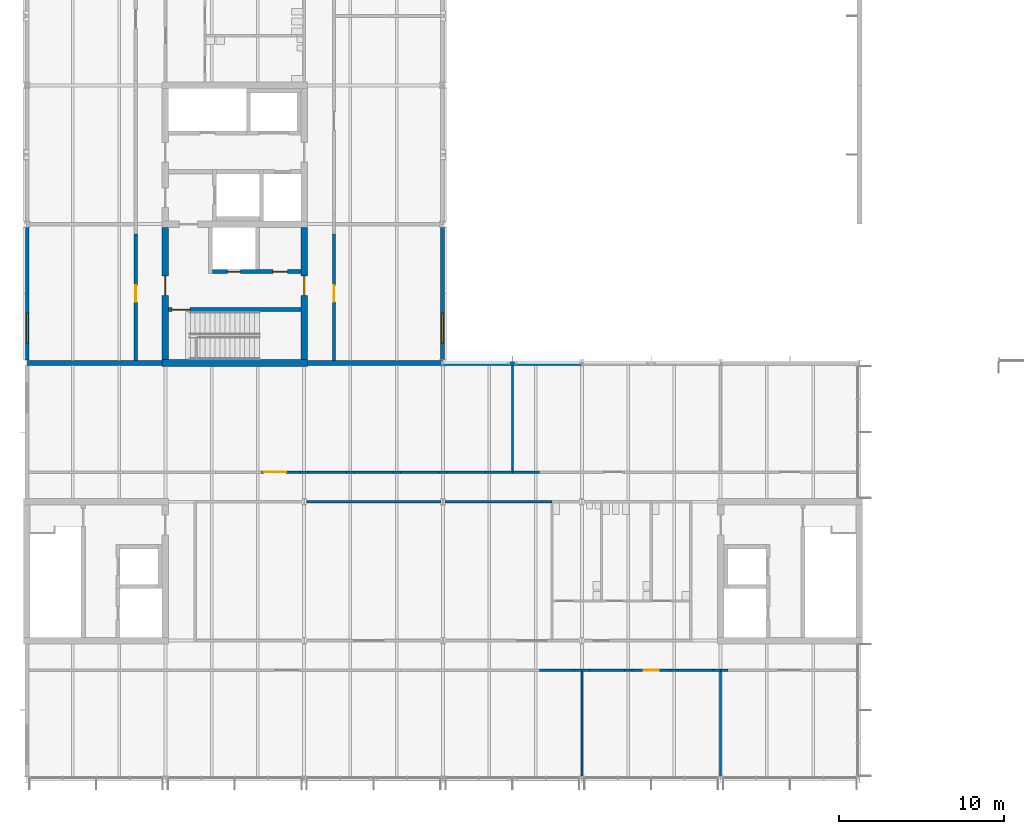
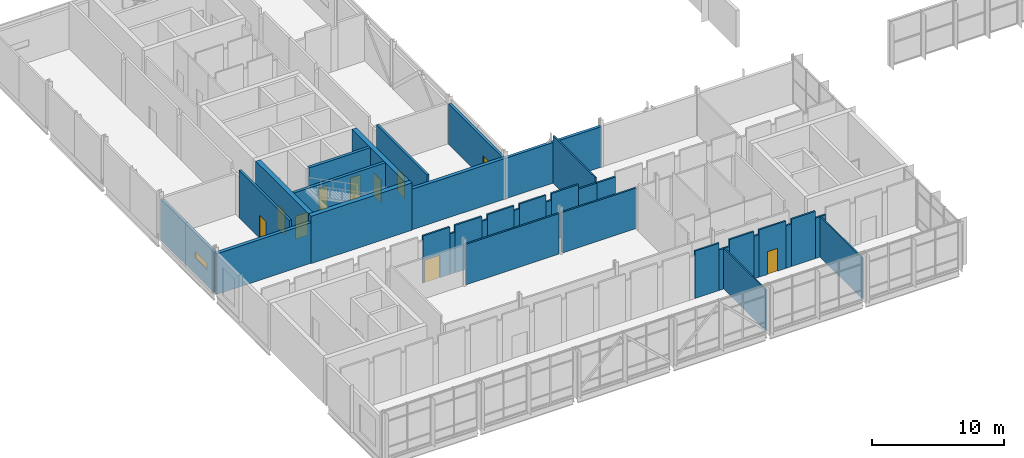
# One storey, part 39 of 72: 38 walls, 9 doors, 2 windows, 11 openings.
"""IFC4 building model written with IfcOpenShell, lengths in metres."""

from ifc_helpers import new_model, si_unit, direction, frame, frame_2d, origin, place, context, subcontext, project, spatial, rectangle, extrude, material, layer, layer_set, type_object, element, fill, save


model = new_model("IFC4")

# Units and contexts
model_context = context("Model", 3, precision=1e-05, world=origin(), true_north=direction((0.0, 1.0)))
body_context = subcontext(model_context, "Body", "Model", "MODEL_VIEW")
ifc_project = project(units=[si_unit("LENGTHUNIT", "METRE"), si_unit("AREAUNIT", "SQUARE_METRE"), si_unit("VOLUMEUNIT", "CUBIC_METRE"), si_unit("PLANEANGLEUNIT", "RADIAN"), si_unit("MASSUNIT", "GRAM", prefix="KILO")], contexts=[model_context])

# Site, building, storey
site_placement = place(None, origin())
site = spatial("IfcSite", under=ifc_project, at=site_placement, CompositionType="ELEMENT")
building_placement = place(site_placement, origin())
building = spatial("IfcBuilding", under=site, at=building_placement, Name="Hlaing Beacon Police Headquarters", CompositionType="ELEMENT")
storey_placement = place(building_placement, frame((0.0, 0.0, 14.39990234375)))
storey = spatial("IfcBuildingStorey", under=building, at=storey_placement, Name="L03", CompositionType="ELEMENT", Elevation=14.39990234375)

# Walls
ifc_material_1 = material(Name="Concrete C40/50", Category="concrete")
ifc_layer_1 = layer(ifc_material_1, 0.300048828125)
ifc_layer_set_1 = layer_set([ifc_layer_1], Name="Concrete C40/50")
wall_type_1 = type_object("IfcWallType", Name="Compartment wall 300", PredefinedType="SOLIDWALL", material=ifc_layer_set_1)
wall_1_placement = place(storey_placement, frame((33.5966796875, 33.60009765625, 0.0), z_axis=(0.0, 0.0, 1.0), x_axis=(-1.0, 0.0, 0.0)))
element("IfcWall", 1, at=wall_1_placement, inside=storey, type_object=wall_type_1, Name="Compartment wall L03 N026", PredefinedType="SOLIDWALL", context=body_context, shape_type="SweptSolid", body=[
    extrude(rectangle(XDim=8.19677734375, YDim=0.300048828125, at=frame_2d((4.098388671875, 0.0))), origin(), (0.0, 0.0, 1.0), 3.74609375),
])
wall_2_placement = place(storey_placement, frame((16.60009765625, 33.60009765625, 0.0), z_axis=(0.0, 0.0, 1.0), x_axis=(-1.0, 0.0, 0.0)))
element("IfcWall", 2, at=wall_2_placement, inside=storey, type_object=wall_type_1, Name="Compartment wall L03 N027", PredefinedType="SOLIDWALL", context=body_context, shape_type="SweptSolid", body=[
    extrude(rectangle(XDim=8.1953125, YDim=0.300048828125, at=frame_2d((4.09765625, 0.0))), origin(), (0.0, 0.0, 1.0), 3.74609375),
])
ifc_material_2 = material(Name="Concrete C60/75", Category="concrete")
ifc_layer_2 = layer(ifc_material_2, 0.39990234375)
ifc_layer_set_2 = layer_set([ifc_layer_2], Name="Concrete C60/75")
wall_type_2 = type_object("IfcWallType", Name="Core shear wall 400", PredefinedType="SHEAR", material=ifc_layer_set_2)
wall_3_placement = place(storey_placement, frame((16.60009765625, 33.60009765625, 0.0), z_axis=(0.0, 0.0, 1.0), x_axis=(1.0, 0.0, 0.0)))
element("IfcWall", 3, at=wall_3_placement, inside=storey, type_object=wall_type_2, Name="Core shear wall", PredefinedType="SHEAR", context=body_context, shape_type="SweptSolid", body=[
    extrude(rectangle(XDim=8.7998046875, YDim=0.39990234375, at=frame_2d((4.39990234375, 0.0))), origin(), (0.0, 0.0, 1.0), 4.3701171875),
])

# Wall, opening, door
wall_4_placement = place(storey_placement, frame((16.800048828125, 33.800048828125, 0.0), z_axis=(0.0, 0.0, 1.0), x_axis=(0.0, 1.0, 0.0)))
wall_4 = element("IfcWall", 4, at=wall_4_placement, inside=storey, type_object=wall_type_2, Name="Core shear wall", PredefinedType="SHEAR", context=body_context, shape_type="SweptSolid", body=[
    extrude(rectangle(XDim=8.0, YDim=0.39990234375, at=frame_2d((4.0, 0.0))), origin(), (0.0, 0.0, 1.0), 4.3701171875),
])
opening_1_placement = place(wall_4_placement, frame((3.875, 0.0, 0.0)))
opening_1 = element("IfcOpeningElement", 5, at=opening_1_placement, cuts=wall_4, Name="Opening L03-934", PredefinedType="OPENING", context=body_context, shape_type="SweptSolid", body=[
    extrude(rectangle(XDim=1.199951171875, YDim=2.10009765625, at=frame_2d((0.60009765625, 1.050048828125))), frame((0.0, 0.2099609375, 0.0), z_axis=(0.0, -1.0, 0.0), x_axis=(1.0, 0.0, 0.0)), (0.0, 0.0, 1.0), 0.419921875),
])
ifc_material_3 = material(Name="Steel fire door leaf", Category="steel")
ifc_layer_3 = layer(ifc_material_3, 0.070068359375)
ifc_layer_set_3 = layer_set([ifc_layer_3], Name="Steel fire door leaf")
door_type_1 = type_object("IfcDoorType", Name="Steel fire door FD60S 1200x2100", OperationType="SINGLE_SWING_LEFT", PredefinedType="DOOR", material=ifc_layer_set_3)
door_1_placement = place(opening_1_placement, frame((1.199951171875, 0.0, 0.0), z_axis=(0.0, 0.0, 1.0), x_axis=(-1.0, 0.0, 0.0)))
door_1 = element("IfcDoor", 6, at=door_1_placement, inside=storey, type_object=door_type_1, Name="Door Stair Lobby ST-N Entry", OperationType="SINGLE_SWING_RIGHT", OverallHeight=2.10009765625, OverallWidth=1.199951171875, PredefinedType="DOOR", context=body_context, shape_type="SweptSolid", body=[
    extrude(rectangle(XDim=1.199951171875, YDim=2.10009765625, at=frame_2d((0.599853515625, 1.050048828125))), frame((0.0, 0.034912109375, 0.0), z_axis=(0.0, -1.0, 0.0), x_axis=(1.0, 0.0, 0.0)), (0.0, 0.0, 1.0), 0.070068359375),
])
fill(opening_1, door_1)

wall_5_placement = place(storey_placement, frame((25.199951171875, 33.800048828125, 0.0), z_axis=(0.0, 0.0, 1.0), x_axis=(0.0, 1.0, 0.0)))
wall_5 = element("IfcWall", 7, at=wall_5_placement, inside=storey, type_object=wall_type_2, Name="Core shear wall", PredefinedType="SHEAR", context=body_context, shape_type="SweptSolid", body=[
    extrude(rectangle(XDim=8.0, YDim=0.39990234375, at=frame_2d((4.0, 0.0))), origin(), (0.0, 0.0, 1.0), 4.3701171875),
])
opening_2_placement = place(wall_5_placement, frame((3.875, 0.0, 0.0)))
opening_2 = element("IfcOpeningElement", 8, at=opening_2_placement, cuts=wall_5, Name="Opening L03-935", PredefinedType="OPENING", context=body_context, shape_type="SweptSolid", body=[
    extrude(rectangle(XDim=1.199951171875, YDim=2.10009765625, at=frame_2d((0.60009765625, 1.050048828125))), frame((0.0, 0.2099609375, 0.0), z_axis=(0.0, -1.0, 0.0), x_axis=(1.0, 0.0, 0.0)), (0.0, 0.0, 1.0), 0.419921875),
])
door_2_placement = place(opening_2_placement, origin())
door_2 = element("IfcDoor", 9, at=door_2_placement, inside=storey, type_object=door_type_1, Name="Door Stair Lobby ST-N Entry", OperationType="SINGLE_SWING_LEFT", OverallHeight=2.10009765625, OverallWidth=1.199951171875, PredefinedType="DOOR", context=body_context, shape_type="SweptSolid", body=[
    extrude(rectangle(XDim=1.199951171875, YDim=2.10009765625, at=frame_2d((0.60009765625, 1.050048828125))), frame((0.0, 0.03515625, 0.0), z_axis=(0.0, -1.0, 0.0), x_axis=(1.0, 0.0, 0.0)), (0.0, 0.0, 1.0), 0.070068359375),
])
fill(opening_2, door_2)

# Walls
ifc_material_4 = material(Name="Gypsum board partition")
ifc_layer_4 = layer(ifc_material_4, 0.14990234375)
ifc_layer_set_4 = layer_set([ifc_layer_4], Name="Gypsum board partition")
wall_type_3 = type_object("IfcWallType", Name="Corridor wall EI 30 150", PredefinedType="PARTITIONING", material=ifc_layer_set_4)
wall_6_placement = place(storey_placement, frame((25.327880859375, 25.199951171875, 0.0), z_axis=(0.0, 0.0, 1.0), x_axis=(1.0, 0.0, 0.0)))
element("IfcWall", 10, at=wall_6_placement, inside=storey, type_object=wall_type_3, Name="Corridor wall EI 30 150", PredefinedType="PARTITIONING", context=body_context, shape_type="SweptSolid", body=[
    extrude(rectangle(XDim=8.14306640625, YDim=0.14990234375, at=frame_2d((4.071533203125, 0.0))), origin(), (0.0, 0.0, 1.0), 3.7431640625),
])
wall_7_placement = place(storey_placement, frame((33.72900390625, 25.199951171875, 0.0), z_axis=(0.0, 0.0, 1.0), x_axis=(1.0, 0.0, 0.0)))
element("IfcWall", 11, at=wall_7_placement, inside=storey, type_object=wall_type_3, Name="Corridor wall EI 30 150", PredefinedType="PARTITIONING", context=body_context, shape_type="SweptSolid", body=[
    extrude(rectangle(XDim=6.470947265625, YDim=0.14990234375, at=frame_2d((3.2353515625, 0.0))), origin(), (0.0, 0.0, 1.0), 3.7431640625),
])

# Wall, opening, door
wall_8_placement = place(storey_placement, frame((22.6298828125, 27.0, 0.0), z_axis=(0.0, 0.0, 1.0), x_axis=(1.0, 0.0, 0.0)))
wall_8 = element("IfcWall", 12, at=wall_8_placement, inside=storey, type_object=wall_type_3, Name="Corridor wall EI 30 150", PredefinedType="PARTITIONING", context=body_context, shape_type="SweptSolid", body=[
    extrude(rectangle(XDim=2.340087890625, YDim=0.14990234375, at=frame_2d((1.169921875, 0.0))), origin(), (0.0, 0.0, 1.0), 4.3701171875),
])
opening_3_placement = place(wall_8_placement, frame((0.1201171875, 0.0, 0.0)))
opening_3 = element("IfcOpeningElement", 13, at=opening_3_placement, cuts=wall_8, Name="Opening L03-007", PredefinedType="OPENING", context=body_context, shape_type="SweptSolid", body=[
    extrude(rectangle(XDim=1.35009765625, YDim=2.10009765625, at=frame_2d((0.675048828125, 1.050048828125))), frame((0.0, 0.0849609375, 0.0), z_axis=(0.0, -1.0, 0.0), x_axis=(1.0, 0.0, 0.0)), (0.0, 0.0, 1.0), 0.169921875),
])
ifc_material_5 = material(Name="Hardwood door leaf", Category="wood")
ifc_layer_5 = layer(ifc_material_5, 0.050048828125)
ifc_layer_set_5 = layer_set([ifc_layer_5], Name="Hardwood door leaf")
door_type_2 = type_object("IfcDoorType", Name="Fire leaf-and-a-half door FD30S 1350x2100", OperationType="DOUBLE_DOOR_SINGLE_SWING", PredefinedType="DOOR", material=ifc_layer_set_5)
door_3_placement = place(opening_3_placement, origin())
door_3 = element("IfcDoor", 14, at=door_3_placement, inside=storey, type_object=door_type_2, Name="Door Finance and Procurement", OperationType="DOUBLE_DOOR_SINGLE_SWING", OverallHeight=2.10009765625, OverallWidth=1.35009765625, PredefinedType="DOOR", context=body_context, shape_type="SweptSolid", body=[
    extrude(rectangle(XDim=1.35009765625, YDim=2.10009765625, at=frame_2d((0.675048828125, 1.050048828125))), frame((0.0, 0.02490234375, 0.0), z_axis=(0.0, -1.0, 0.0), x_axis=(1.0, 0.0, 0.0)), (0.0, 0.0, 1.0), 0.050048828125),
])
fill(opening_3, door_3)

# Walls
wall_9_placement = place(storey_placement, frame((24.969970703125, 27.0, 0.0), z_axis=(0.0, 0.0, 1.0), x_axis=(1.0, 0.0, 0.0)))
element("IfcWall", 15, at=wall_9_placement, inside=storey, type_object=wall_type_3, Name="Corridor wall EI 30 150", PredefinedType="PARTITIONING", context=body_context, shape_type="SweptSolid", body=[
    extrude(rectangle(XDim=0.4599609375, YDim=0.14990234375, at=frame_2d((0.22998046875, 0.0))), origin(), (0.0, 0.0, 1.0), 3.7431640625),
])
wall_10_placement = place(storey_placement, frame((25.429931640625, 27.0, 0.0), z_axis=(0.0, 0.0, 1.0), x_axis=(1.0, 0.0, 0.0)))
element("IfcWall", 16, at=wall_10_placement, inside=storey, type_object=wall_type_3, Name="Corridor wall EI 30 150", PredefinedType="PARTITIONING", context=body_context, shape_type="SweptSolid", body=[
    extrude(rectangle(XDim=2.340087890625, YDim=0.14990234375, at=frame_2d((1.169921875, 0.0))), origin(), (0.0, 0.0, 1.0), 4.3701171875),
])
wall_11_placement = place(storey_placement, frame((27.77001953125, 27.0, 0.0), z_axis=(0.0, 0.0, 1.0), x_axis=(1.0, 0.0, 0.0)))
element("IfcWall", 17, at=wall_11_placement, inside=storey, type_object=wall_type_3, Name="Corridor wall EI 30 150", PredefinedType="PARTITIONING", context=body_context, shape_type="SweptSolid", body=[
    extrude(rectangle(XDim=0.4599609375, YDim=0.14990234375, at=frame_2d((0.22998046875, 0.0))), origin(), (0.0, 0.0, 1.0), 3.941162109375),
])
wall_12_placement = place(storey_placement, frame((28.22998046875, 27.0, 0.0), z_axis=(0.0, 0.0, 1.0), x_axis=(1.0, 0.0, 0.0)))
element("IfcWall", 18, at=wall_12_placement, inside=storey, type_object=wall_type_3, Name="Corridor wall EI 30 150", PredefinedType="PARTITIONING", context=body_context, shape_type="SweptSolid", body=[
    extrude(rectangle(XDim=2.340087890625, YDim=0.14990234375, at=frame_2d((1.169921875, 0.0))), origin(), (0.0, 0.0, 1.0), 4.3701171875),
])
wall_13_placement = place(storey_placement, frame((30.570068359375, 27.0, 0.0), z_axis=(0.0, 0.0, 1.0), x_axis=(1.0, 0.0, 0.0)))
element("IfcWall", 19, at=wall_13_placement, inside=storey, type_object=wall_type_3, Name="Corridor wall EI 30 150", PredefinedType="PARTITIONING", context=body_context, shape_type="SweptSolid", body=[
    extrude(rectangle(XDim=0.4599609375, YDim=0.14990234375, at=frame_2d((0.22998046875, 0.0))), origin(), (0.0, 0.0, 1.0), 3.941162109375),
])
wall_14_placement = place(storey_placement, frame((31.030029296875, 27.0, 0.0), z_axis=(0.0, 0.0, 1.0), x_axis=(1.0, 0.0, 0.0)))
element("IfcWall", 20, at=wall_14_placement, inside=storey, type_object=wall_type_3, Name="Corridor wall EI 30 150", PredefinedType="PARTITIONING", context=body_context, shape_type="SweptSolid", body=[
    extrude(rectangle(XDim=2.340087890625, YDim=0.14990234375, at=frame_2d((1.169921875, 0.0))), origin(), (0.0, 0.0, 1.0), 4.3701171875),
])
wall_15_placement = place(storey_placement, frame((33.3701171875, 27.0, 0.0), z_axis=(0.0, 0.0, 1.0), x_axis=(1.0, 0.0, 0.0)))
element("IfcWall", 21, at=wall_15_placement, inside=storey, type_object=wall_type_3, Name="Corridor wall EI 30 150", PredefinedType="PARTITIONING", context=body_context, shape_type="SweptSolid", body=[
    extrude(rectangle(XDim=0.4599609375, YDim=0.14990234375, at=frame_2d((0.22998046875, 0.0))), origin(), (0.0, 0.0, 1.0), 3.7431640625),
])
wall_16_placement = place(storey_placement, frame((33.830078125, 27.0, 0.0), z_axis=(0.0, 0.0, 1.0), x_axis=(1.0, 0.0, 0.0)))
element("IfcWall", 22, at=wall_16_placement, inside=storey, type_object=wall_type_3, Name="Corridor wall EI 30 150", PredefinedType="PARTITIONING", context=body_context, shape_type="SweptSolid", body=[
    extrude(rectangle(XDim=2.33984375, YDim=0.14990234375, at=frame_2d((1.169921875, 0.0))), origin(), (0.0, 0.0, 1.0), 4.3701171875),
])
wall_17_placement = place(storey_placement, frame((36.169921875, 27.0, 0.0), z_axis=(0.0, 0.0, 1.0), x_axis=(1.0, 0.0, 0.0)))
element("IfcWall", 23, at=wall_17_placement, inside=storey, type_object=wall_type_3, Name="Corridor wall EI 30 150", PredefinedType="PARTITIONING", context=body_context, shape_type="SweptSolid", body=[
    extrude(rectangle(XDim=1.630126953125, YDim=0.14990234375, at=frame_2d((0.81494140625, 0.0))), origin(), (0.0, 0.0, 1.0), 3.941162109375),
])
wall_18_placement = place(storey_placement, frame((37.800048828125, 27.0, 0.0), z_axis=(0.0, 0.0, 1.0), x_axis=(1.0, 0.0, 0.0)))
element("IfcWall", 24, at=wall_18_placement, inside=storey, type_object=wall_type_3, Name="Corridor wall EI 30 150", PredefinedType="PARTITIONING", context=body_context, shape_type="SweptSolid", body=[
    extrude(rectangle(XDim=1.6298828125, YDim=0.14990234375, at=frame_2d((0.81494140625, 0.0))), origin(), (0.0, 0.0, 1.0), 3.941162109375),
])
wall_19_placement = place(storey_placement, frame((39.429931640625, 15.0, 0.0), z_axis=(0.0, 0.0, 1.0), x_axis=(1.0, 0.0, 0.0)))
element("IfcWall", 25, at=wall_19_placement, inside=storey, type_object=wall_type_3, Name="Corridor wall EI 30 150", PredefinedType="PARTITIONING", context=body_context, shape_type="SweptSolid", body=[
    extrude(rectangle(XDim=2.110107421875, YDim=0.14990234375, at=frame_2d((1.05517578125, 0.0))), origin(), (0.0, 0.0, 1.0), 4.3701171875),
])
wall_20_placement = place(storey_placement, frame((41.5400390625, 15.0, 0.0), z_axis=(0.0, 0.0, 1.0), x_axis=(1.0, 0.0, 0.0)))
element("IfcWall", 26, at=wall_20_placement, inside=storey, type_object=wall_type_3, Name="Corridor wall EI 30 150", PredefinedType="PARTITIONING", context=body_context, shape_type="SweptSolid", body=[
    extrude(rectangle(XDim=0.4599609375, YDim=0.14990234375, at=frame_2d((0.22998046875, 0.0))), origin(), (0.0, 0.0, 1.0), 3.7431640625),
])
wall_21_placement = place(storey_placement, frame((50.39990234375, 15.0, 0.0), z_axis=(0.0, 0.0, 1.0), x_axis=(1.0, 0.0, 0.0)))
element("IfcWall", 27, at=wall_21_placement, inside=storey, type_object=wall_type_3, Name="Corridor wall EI 30 150", PredefinedType="PARTITIONING", context=body_context, shape_type="SweptSolid", body=[
    extrude(rectangle(XDim=0.460205078125, YDim=0.14990234375, at=frame_2d((0.22998046875, 0.0))), origin(), (0.0, 0.0, 1.0), 3.7431640625),
])
wall_22_placement = place(storey_placement, frame((42.0, 15.0, 0.0), z_axis=(0.0, 0.0, 1.0), x_axis=(1.0, 0.0, 0.0)))
element("IfcWall", 28, at=wall_22_placement, inside=storey, type_object=wall_type_3, Name="Corridor wall EI 30 150", PredefinedType="PARTITIONING", context=body_context, shape_type="SweptSolid", body=[
    extrude(rectangle(XDim=0.4599609375, YDim=0.14990234375, at=frame_2d((0.22998046875, 0.0))), origin(), (0.0, 0.0, 1.0), 3.7431640625),
])
wall_23_placement = place(storey_placement, frame((42.4599609375, 15.0, 0.0), z_axis=(0.0, 0.0, 1.0), x_axis=(1.0, 0.0, 0.0)))
element("IfcWall", 29, at=wall_23_placement, inside=storey, type_object=wall_type_3, Name="Corridor wall EI 30 150", PredefinedType="PARTITIONING", context=body_context, shape_type="SweptSolid", body=[
    extrude(rectangle(XDim=2.110107421875, YDim=0.14990234375, at=frame_2d((1.05517578125, 0.0))), origin(), (0.0, 0.0, 1.0), 4.3701171875),
])
wall_24_placement = place(storey_placement, frame((44.570068359375, 15.0, 0.0), z_axis=(0.0, 0.0, 1.0), x_axis=(1.0, 0.0, 0.0)))
element("IfcWall", 30, at=wall_24_placement, inside=storey, type_object=wall_type_3, Name="Corridor wall EI 30 150", PredefinedType="PARTITIONING", context=body_context, shape_type="SweptSolid", body=[
    extrude(rectangle(XDim=0.4599609375, YDim=0.14990234375, at=frame_2d((0.22998046875, 0.0))), origin(), (0.0, 0.0, 1.0), 3.941162109375),
])

# Wall, opening, door
wall_25_placement = place(storey_placement, frame((45.030029296875, 15.0, 0.0), z_axis=(0.0, 0.0, 1.0), x_axis=(1.0, 0.0, 0.0)))
wall_25 = element("IfcWall", 31, at=wall_25_placement, inside=storey, type_object=wall_type_3, Name="Corridor wall EI 30 150", PredefinedType="PARTITIONING", context=body_context, shape_type="SweptSolid", body=[
    extrude(rectangle(XDim=2.340087890625, YDim=0.14990234375, at=frame_2d((1.169921875, 0.0))), origin(), (0.0, 0.0, 1.0), 4.3701171875),
])
opening_4_placement = place(wall_25_placement, frame((0.719970703125, 0.0, 0.0)))
opening_4 = element("IfcOpeningElement", 32, at=opening_4_placement, cuts=wall_25, Name="Opening L03-012", PredefinedType="OPENING", context=body_context, shape_type="SweptSolid", body=[
    extrude(rectangle(XDim=0.89990234375, YDim=2.10009765625, at=frame_2d((0.449951171875, 1.050048828125))), frame((0.0, 0.0849609375, 0.0), z_axis=(0.0, -1.0, 0.0), x_axis=(1.0, 0.0, 0.0)), (0.0, 0.0, 1.0), 0.169921875),
])
ifc_material_6 = material(Name="Hardwood door leaf", Category="wood")
ifc_layer_6 = layer(ifc_material_6, 0.050048828125)
ifc_layer_set_6 = layer_set([ifc_layer_6], Name="Hardwood door leaf")
door_type_3 = type_object("IfcDoorType", Name="Fire door FD30S 900x2100", OperationType="SINGLE_SWING_LEFT", PredefinedType="DOOR", material=ifc_layer_set_6)
door_4_placement = place(opening_4_placement, frame((0.89990234375, 0.0, 0.0), z_axis=(0.0, 0.0, 1.0), x_axis=(-1.0, 0.0, 0.0)))
door_4 = element("IfcDoor", 33, at=door_4_placement, inside=storey, type_object=door_type_3, Name="Door Records Room", OperationType="SINGLE_SWING_LEFT", OverallHeight=2.10009765625, OverallWidth=0.89990234375, PredefinedType="DOOR", context=body_context, shape_type="SweptSolid", body=[
    extrude(rectangle(XDim=0.89990234375, YDim=2.10009765625, at=frame_2d((0.449951171875, 1.050048828125))), frame((0.0, 0.025146484375, 0.0), z_axis=(0.0, -1.0, 0.0), x_axis=(1.0, 0.0, 0.0)), (0.0, 0.0, 1.0), 0.050048828125),
])
fill(opening_4, door_4)

# Walls
wall_26_placement = place(storey_placement, frame((47.3701171875, 15.0, 0.0), z_axis=(0.0, 0.0, 1.0), x_axis=(1.0, 0.0, 0.0)))
element("IfcWall", 34, at=wall_26_placement, inside=storey, type_object=wall_type_3, Name="Corridor wall EI 30 150", PredefinedType="PARTITIONING", context=body_context, shape_type="SweptSolid", body=[
    extrude(rectangle(XDim=0.4599609375, YDim=0.14990234375, at=frame_2d((0.22998046875, 0.0))), origin(), (0.0, 0.0, 1.0), 3.941162109375),
])
wall_27_placement = place(storey_placement, frame((47.830078125, 15.0, 0.0), z_axis=(0.0, 0.0, 1.0), x_axis=(1.0, 0.0, 0.0)))
element("IfcWall", 35, at=wall_27_placement, inside=storey, type_object=wall_type_3, Name="Corridor wall EI 30 150", PredefinedType="PARTITIONING", context=body_context, shape_type="SweptSolid", body=[
    extrude(rectangle(XDim=2.10986328125, YDim=0.14990234375, at=frame_2d((1.054931640625, 0.0))), origin(), (0.0, 0.0, 1.0), 4.3701171875),
])
wall_28_placement = place(storey_placement, frame((49.93994140625, 15.0, 0.0), z_axis=(0.0, 0.0, 1.0), x_axis=(1.0, 0.0, 0.0)))
element("IfcWall", 36, at=wall_28_placement, inside=storey, type_object=wall_type_3, Name="Corridor wall EI 30 150", PredefinedType="PARTITIONING", context=body_context, shape_type="SweptSolid", body=[
    extrude(rectangle(XDim=0.4599609375, YDim=0.14990234375, at=frame_2d((0.22998046875, 0.0))), origin(), (0.0, 0.0, 1.0), 3.7431640625),
])

# Wall, opening, door
ifc_material_7 = material(Name="Concrete blockwork 7.5 N/mm2", Category="masonry")
ifc_layer_7 = layer(ifc_material_7, 0.199951171875)
ifc_layer_set_7 = layer_set([ifc_layer_7], Name="Concrete blockwork 7.5 N/mm2")
wall_type_4 = type_object("IfcWallType", Name="Laboratory wall EI 60 200", PredefinedType="PARTITIONING", material=ifc_layer_set_7)
wall_29_placement = place(storey_placement, frame((27.0, 33.75, 0.0), z_axis=(0.0, 0.0, 1.0), x_axis=(0.0, 1.0, 0.0)))
wall_29 = element("IfcWall", 37, at=wall_29_placement, inside=storey, type_object=wall_type_4, Name="Laboratory wall EI 60 200", PredefinedType="PARTITIONING", context=body_context, shape_type="SweptSolid", body=[
    extrude(rectangle(XDim=7.639892578125, YDim=0.199951171875, at=frame_2d((3.81982421875, 0.0))), origin(), (0.0, 0.0, 1.0), 4.3701171875),
])
opening_5_placement = place(wall_29_placement, frame((3.550048828125, 0.0, 0.0)))
opening_5 = element("IfcOpeningElement", 38, at=opening_5_placement, cuts=wall_29, Name="Opening L03-023", PredefinedType="OPENING", context=body_context, shape_type="SweptSolid", body=[
    extrude(rectangle(XDim=1.0, YDim=2.10009765625, at=frame_2d((0.5, 1.050048828125))), frame((0.0, 0.10986328125, 0.0), z_axis=(0.0, -1.0, 0.0), x_axis=(1.0, 0.0, 0.0)), (0.0, 0.0, 1.0), 0.219970703125),
])
ifc_material_8 = material(Name="Hardwood door leaf", Category="wood")
ifc_layer_8 = layer(ifc_material_8, 0.050048828125)
ifc_layer_set_8 = layer_set([ifc_layer_8], Name="Hardwood door leaf")
door_type_4 = type_object("IfcDoorType", Name="Fire door FD30 1000x2100", OperationType="SINGLE_SWING_LEFT", PredefinedType="DOOR", material=ifc_layer_set_8)
door_5_placement = place(opening_5_placement, frame((1.0, 0.0, 0.0), z_axis=(0.0, 0.0, 1.0), x_axis=(-1.0, 0.0, 0.0)))
door_5 = element("IfcDoor", 39, at=door_5_placement, inside=storey, type_object=door_type_4, Name="Door Ballistics Water Tank Room", OperationType="SINGLE_SWING_RIGHT", OverallHeight=2.10009765625, OverallWidth=1.0, PredefinedType="DOOR", context=body_context, shape_type="SweptSolid", body=[
    extrude(rectangle(XDim=1.0, YDim=2.10009765625, at=frame_2d((0.5, 1.050048828125))), frame((0.0, 0.025146484375, 0.0), z_axis=(0.0, -1.0, 0.0), x_axis=(1.0, 0.0, 0.0)), (0.0, 0.0, 1.0), 0.050048828125),
])
fill(opening_5, door_5)

wall_30_placement = place(storey_placement, frame((15.0, 33.75, 0.0), z_axis=(0.0, 0.0, 1.0), x_axis=(0.0, 1.0, 0.0)))
wall_30 = element("IfcWall", 40, at=wall_30_placement, inside=storey, type_object=wall_type_4, Name="Laboratory wall EI 60 200", PredefinedType="PARTITIONING", context=body_context, shape_type="SweptSolid", body=[
    extrude(rectangle(XDim=7.639892578125, YDim=0.199951171875, at=frame_2d((3.81982421875, 0.0))), origin(), (0.0, 0.0, 1.0), 4.3701171875),
])
opening_6_placement = place(wall_30_placement, frame((3.550048828125, 0.0, 0.0)))
opening_6 = element("IfcOpeningElement", 41, at=opening_6_placement, cuts=wall_30, Name="Opening L03-030", PredefinedType="OPENING", context=body_context, shape_type="SweptSolid", body=[
    extrude(rectangle(XDim=1.0, YDim=2.10009765625, at=frame_2d((0.5, 1.050048828125))), frame((0.0, 0.10986328125, 0.0), z_axis=(0.0, -1.0, 0.0), x_axis=(1.0, 0.0, 0.0)), (0.0, 0.0, 1.0), 0.219970703125),
])
door_6_placement = place(opening_6_placement, origin())
door_6 = element("IfcDoor", 42, at=door_6_placement, inside=storey, type_object=door_type_4, Name="Door Laboratory Preparation Room", OperationType="SINGLE_SWING_LEFT", OverallHeight=2.10009765625, OverallWidth=1.0, PredefinedType="DOOR", context=body_context, shape_type="SweptSolid", body=[
    extrude(rectangle(XDim=1.0, YDim=2.10009765625, at=frame_2d((0.5, 1.050048828125))), frame((0.0, 0.02490234375, 0.0), z_axis=(0.0, -1.0, 0.0), x_axis=(1.0, 0.0, 0.0)), (0.0, 0.0, 1.0), 0.050048828125),
])
fill(opening_6, door_6)

# Walls
ifc_material_9 = material(Name="Gypsum board partition")
ifc_layer_9 = layer(ifc_material_9, 0.125)
ifc_layer_set_9 = layer_set([ifc_layer_9], Name="Gypsum board partition")
wall_type_5 = type_object("IfcWallType", Name="Partition 125", PredefinedType="PARTITIONING", material=ifc_layer_set_9)
wall_31_placement = place(storey_placement, frame((37.800048828125, 27.074951171875, 0.0), z_axis=(0.0, 0.0, 1.0), x_axis=(0.0, 1.0, 0.0)))
element("IfcWall", 43, at=wall_31_placement, inside=storey, type_object=wall_type_5, Name="Partition 125", PredefinedType="PARTITIONING", context=body_context, shape_type="SweptSolid", body=[
    extrude(rectangle(XDim=6.375, YDim=0.125, at=frame_2d((3.1875, 0.0))), origin(), (0.0, 0.0, 1.0), 4.3701171875),
])
wall_32_placement = place(storey_placement, frame((42.0, 8.58203125, 0.0), z_axis=(0.0, 0.0, 1.0), x_axis=(0.0, 1.0, 0.0)))
element("IfcWall", 44, at=wall_32_placement, inside=storey, type_object=wall_type_5, Name="Partition 125", PredefinedType="PARTITIONING", context=body_context, shape_type="SweptSolid", body=[
    extrude(rectangle(XDim=6.343017578125, YDim=0.125, at=frame_2d((3.17138671875, 0.0))), origin(), (0.0, 0.0, 1.0), 3.7431640625),
])
wall_33_placement = place(storey_placement, frame((50.39990234375, 8.576904296875, 0.0), z_axis=(0.0, 0.0, 1.0), x_axis=(0.0, 1.0, 0.0)))
element("IfcWall", 45, at=wall_33_placement, inside=storey, type_object=wall_type_5, Name="Partition 125", PredefinedType="PARTITIONING", context=body_context, shape_type="SweptSolid", body=[
    extrude(rectangle(XDim=6.34814453125, YDim=0.125, at=frame_2d((3.174072265625, 0.0))), origin(), (0.0, 0.0, 1.0), 3.7431640625),
])
ifc_material_10 = material(Name="Concrete C40/50 precast ribbed cladding", Category="concrete")
ifc_layer_10 = layer(ifc_material_10, 0.25)
ifc_layer_set_10 = layer_set([ifc_layer_10], Name="Concrete C40/50 precast ribbed cladding")
wall_type_6 = type_object("IfcWallType", Name="Precast ribbed wall 250", PredefinedType="SOLIDWALL", material=ifc_layer_set_10)
wall_34_placement = place(storey_placement, frame((41.996337890625, 33.574951171875, 0.0), z_axis=(0.0, 0.0, 1.0), x_axis=(-1.0, 0.0, 0.0)))
element("IfcWall", 46, at=wall_34_placement, inside=storey, type_object=wall_type_6, Name="External wall L03 N011", PredefinedType="SOLIDWALL", context=body_context, shape_type="SweptSolid", body=[
    extrude(rectangle(XDim=8.392822265625, YDim=0.25, at=frame_2d((4.1962890625, 0.0))), origin(), (0.0, 0.0, 1.0), 3.7431640625),
])

# Wall, opening, window
ifc_material_11 = material(Name="Fibre cement ribbed cladding on insulated frame")
ifc_layer_11 = layer(ifc_material_11, 0.22509765625)
ifc_layer_set_11 = layer_set([ifc_layer_11], Name="Fibre cement ribbed cladding on insulated frame")
wall_type_7 = type_object("IfcWallType", Name="Ribbed fibre-cement clad wall 225", PredefinedType="SOLIDWALL", material=ifc_layer_set_11)
wall_35_placement = place(storey_placement, frame((33.5625, 33.769775390625, 0.0), z_axis=(0.0, 0.0, 1.0), x_axis=(0.0, 1.0, 0.0)))
wall_35 = element("IfcWall", 47, at=wall_35_placement, inside=storey, type_object=wall_type_7, Name="External wall L03 E012", PredefinedType="SOLIDWALL", context=body_context, shape_type="SweptSolid", body=[
    extrude(rectangle(XDim=8.060302734375, YDim=0.22509765625, at=frame_2d((4.0302734375, 0.0))), origin(), (0.0, 0.0, 1.0), 3.74609375),
])
opening_7_placement = place(wall_35_placement, frame((1.0302734375, 0.0, 1.5)))
opening_7 = element("IfcOpeningElement", 48, at=opening_7_placement, cuts=wall_35, Name="Opening WN14", PredefinedType="OPENING", context=body_context, shape_type="SweptSolid", body=[
    extrude(rectangle(XDim=1.800048828125, YDim=0.60009765625, at=frame_2d((0.89990234375, 0.300048828125))), frame((0.0, 0.12255859375, 0.0), z_axis=(0.0, -1.0, 0.0), x_axis=(1.0, 0.0, 0.0)), (0.0, 0.0, 1.0), 0.2451171875),
])
ifc_material_12 = material(Name="Aluminium frame with solar control glazing", Category="aluminium")
window_type = type_object("IfcWindowType", Name="Strip window 1800x600 frame 80", PartitioningType="SINGLE_PANEL", PredefinedType="WINDOW", material=ifc_material_12)
window_1_placement = place(opening_7_placement, origin())
window_1 = element("IfcWindow", 49, at=window_1_placement, inside=storey, type_object=window_type, Name="Window L03 WJ", OverallHeight=0.60009765625, OverallWidth=1.800048828125, PartitioningType="SINGLE_PANEL", PredefinedType="WINDOW", context=body_context, shape_type="SweptSolid", body=[
    extrude(rectangle(XDim=1.800048828125, YDim=0.60009765625, at=frame_2d((0.89990234375, 0.300048828125))), frame((0.0, 0.0400390625, 0.0), z_axis=(0.0, -1.0, 0.0), x_axis=(1.0, 0.0, 0.0)), (0.0, 0.0, 1.0), 0.080078125),
])
fill(opening_7, window_1)

wall_36_placement = place(storey_placement, frame((8.4375, 41.830078125, 0.0), z_axis=(0.0, 0.0, 1.0), x_axis=(0.0, -1.0, 0.0)))
wall_36 = element("IfcWall", 50, at=wall_36_placement, inside=storey, type_object=wall_type_7, Name="External wall L03 W021", PredefinedType="SOLIDWALL", context=body_context, shape_type="SweptSolid", body=[
    extrude(rectangle(XDim=8.060546875, YDim=0.22509765625, at=frame_2d((4.0302734375, 0.0))), origin(), (0.0, 0.0, 1.0), 3.74609375),
])
opening_8_placement = place(wall_36_placement, frame((5.230224609375, 0.0, 1.5)))
opening_8 = element("IfcOpeningElement", 51, at=opening_8_placement, cuts=wall_36, Name="Opening WN14", PredefinedType="OPENING", context=body_context, shape_type="SweptSolid", body=[
    extrude(rectangle(XDim=1.800048828125, YDim=0.60009765625, at=frame_2d((0.89990234375, 0.300048828125))), frame((0.0, 0.12255859375, 0.0), z_axis=(0.0, -1.0, 0.0), x_axis=(1.0, 0.0, 0.0)), (0.0, 0.0, 1.0), 0.2451171875),
])
window_2_placement = place(opening_8_placement, origin())
window_2 = element("IfcWindow", 52, at=window_2_placement, inside=storey, type_object=window_type, Name="Window L03 WJ", OverallHeight=0.60009765625, OverallWidth=1.800048828125, PartitioningType="SINGLE_PANEL", PredefinedType="WINDOW", context=body_context, shape_type="SweptSolid", body=[
    extrude(rectangle(XDim=1.800048828125, YDim=0.60009765625, at=frame_2d((0.89990234375, 0.300048828125))), frame((0.0, 0.0400390625, 0.0), z_axis=(0.0, -1.0, 0.0), x_axis=(1.0, 0.0, 0.0)), (0.0, 0.0, 1.0), 0.080078125),
])
fill(opening_8, window_2)

# Wall, opening, door
ifc_material_13 = material(Name="Concrete C40/50", Category="concrete")
ifc_layer_12 = layer(ifc_material_13, 0.25)
ifc_layer_set_12 = layer_set([ifc_layer_12], Name="Concrete C40/50")
wall_type_8 = type_object("IfcWallType", Name="Shaft wall 250", PredefinedType="SOLIDWALL", material=ifc_layer_set_12)
wall_37_placement = place(storey_placement, frame((17.0, 36.824951171875, 0.0), z_axis=(0.0, 0.0, 1.0), x_axis=(1.0, 0.0, 0.0)))
wall_37 = element("IfcWall", 53, at=wall_37_placement, inside=storey, type_object=wall_type_8, Name="Stair enclosure wall", PredefinedType="SOLIDWALL", context=body_context, shape_type="SweptSolid", body=[
    extrude(rectangle(XDim=8.0, YDim=0.25, at=frame_2d((4.0, 0.0))), origin(), (0.0, 0.0, 1.0), 4.3701171875),
])
opening_9_placement = place(wall_37_placement, frame((0.199951171875, 0.0, 0.0)))
opening_9 = element("IfcOpeningElement", 54, at=opening_9_placement, cuts=wall_37, Name="Opening L03-937", PredefinedType="OPENING", context=body_context, shape_type="SweptSolid", body=[
    extrude(rectangle(XDim=1.10009765625, YDim=2.10009765625, at=frame_2d((0.550048828125, 1.050048828125))), frame((0.0, 0.135009765625, 0.0), z_axis=(0.0, -1.0, 0.0), x_axis=(1.0, 0.0, 0.0)), (0.0, 0.0, 1.0), 0.27001953125),
])
ifc_material_14 = material(Name="Steel fire door leaf", Category="steel")
ifc_layer_13 = layer(ifc_material_14, 0.070068359375)
ifc_layer_set_13 = layer_set([ifc_layer_13], Name="Steel fire door leaf")
door_type_5 = type_object("IfcDoorType", Name="Steel fire door FD60 1100x2100", OperationType="SINGLE_SWING_LEFT", PredefinedType="DOOR", material=ifc_layer_set_13)
door_7_placement = place(opening_9_placement, frame((1.10009765625, 0.0, 0.0), z_axis=(0.0, 0.0, 1.0), x_axis=(-1.0, 0.0, 0.0)))
door_7 = element("IfcDoor", 55, at=door_7_placement, inside=storey, type_object=door_type_5, Name="Door Stair ST-N", OperationType="SINGLE_SWING_LEFT", OverallHeight=2.10009765625, OverallWidth=1.10009765625, PredefinedType="DOOR", context=body_context, shape_type="SweptSolid", body=[
    extrude(rectangle(XDim=1.10009765625, YDim=2.10009765625, at=frame_2d((0.550048828125, 1.050048828125))), frame((0.0, 0.034912109375, 0.0), z_axis=(0.0, -1.0, 0.0), x_axis=(1.0, 0.0, 0.0)), (0.0, 0.0, 1.0), 0.070068359375),
])
fill(opening_9, door_7)

# Wall, openings, doors
wall_38_placement = place(storey_placement, frame((19.64990234375, 39.125, 0.0), z_axis=(0.0, 0.0, 1.0), x_axis=(1.0, 0.0, 0.0)))
wall_38 = element("IfcWall", 56, at=wall_38_placement, inside=storey, type_object=wall_type_8, Name="Lobby wall", PredefinedType="SOLIDWALL", context=body_context, shape_type="SweptSolid", body=[
    extrude(rectangle(XDim=5.35009765625, YDim=0.25, at=frame_2d((2.675048828125, 0.0))), origin(), (0.0, 0.0, 1.0), 4.3701171875),
])
opening_10_placement = place(wall_38_placement, frame((3.64990234375, 0.0, 0.0)))
opening_10 = element("IfcOpeningElement", 57, at=opening_10_placement, cuts=wall_38, Name="Opening L03-933", PredefinedType="OPENING", context=body_context, shape_type="SweptSolid", body=[
    extrude(rectangle(XDim=0.89990234375, YDim=2.10009765625, at=frame_2d((0.449951171875, 1.050048828125))), frame((0.0, 0.135009765625, 0.0), z_axis=(0.0, -1.0, 0.0), x_axis=(1.0, 0.0, 0.0)), (0.0, 0.0, 1.0), 0.27001953125),
])
opening_11_placement = place(wall_38_placement, frame((0.89990234375, 0.0, 0.0)))
opening_11 = element("IfcOpeningElement", 58, at=opening_11_placement, cuts=wall_38, Name="Opening L03-936", PredefinedType="OPENING", context=body_context, shape_type="SweptSolid", body=[
    extrude(rectangle(XDim=0.800048828125, YDim=2.10009765625, at=frame_2d((0.39990234375, 1.050048828125))), frame((0.0, 0.135009765625, 0.0), z_axis=(0.0, -1.0, 0.0), x_axis=(1.0, 0.0, 0.0)), (0.0, 0.0, 1.0), 0.27001953125),
])
ifc_material_15 = material(Name="Steel fire door leaf", Category="steel")
ifc_layer_14 = layer(ifc_material_15, 0.070068359375)
ifc_layer_set_14 = layer_set([ifc_layer_14], Name="Steel fire door leaf")
door_type_6 = type_object("IfcDoorType", Name="Steel fire door FD60 800x2100", OperationType="SINGLE_SWING_LEFT", PredefinedType="DOOR", material=ifc_layer_set_14)
door_8_placement = place(opening_11_placement, origin())
door_8 = element("IfcDoor", 59, at=door_8_placement, inside=storey, type_object=door_type_6, Name="Door Services Riser", OperationType="SINGLE_SWING_RIGHT", OverallHeight=2.10009765625, OverallWidth=0.800048828125, PredefinedType="DOOR", context=body_context, shape_type="SweptSolid", body=[
    extrude(rectangle(XDim=0.800048828125, YDim=2.10009765625, at=frame_2d((0.39990234375, 1.050048828125))), frame((0.0, 0.03515625, 0.0), z_axis=(0.0, -1.0, 0.0), x_axis=(1.0, 0.0, 0.0)), (0.0, 0.0, 1.0), 0.070068359375),
])
fill(opening_11, door_8)
ifc_material_16 = material(Name="Steel fire door leaf", Category="steel")
ifc_layer_15 = layer(ifc_material_16, 0.070068359375)
ifc_layer_set_15 = layer_set([ifc_layer_15], Name="Steel fire door leaf")
door_type_7 = type_object("IfcDoorType", Name="Steel fire door FD60 900x2100", OperationType="SINGLE_SWING_LEFT", PredefinedType="DOOR", material=ifc_layer_set_15)
door_9_placement = place(opening_10_placement, origin())
door_9 = element("IfcDoor", 60, at=door_9_placement, inside=storey, type_object=door_type_7, Name="Door Cleaners' Store", OperationType="SINGLE_SWING_LEFT", OverallHeight=2.10009765625, OverallWidth=0.89990234375, PredefinedType="DOOR", context=body_context, shape_type="SweptSolid", body=[
    extrude(rectangle(XDim=0.89990234375, YDim=2.10009765625, at=frame_2d((0.449951171875, 1.050048828125))), frame((0.0, 0.03515625, 0.0), z_axis=(0.0, -1.0, 0.0), x_axis=(1.0, 0.0, 0.0)), (0.0, 0.0, 1.0), 0.070068359375),
])
fill(opening_10, door_9)

save(model, "model.ifc")
